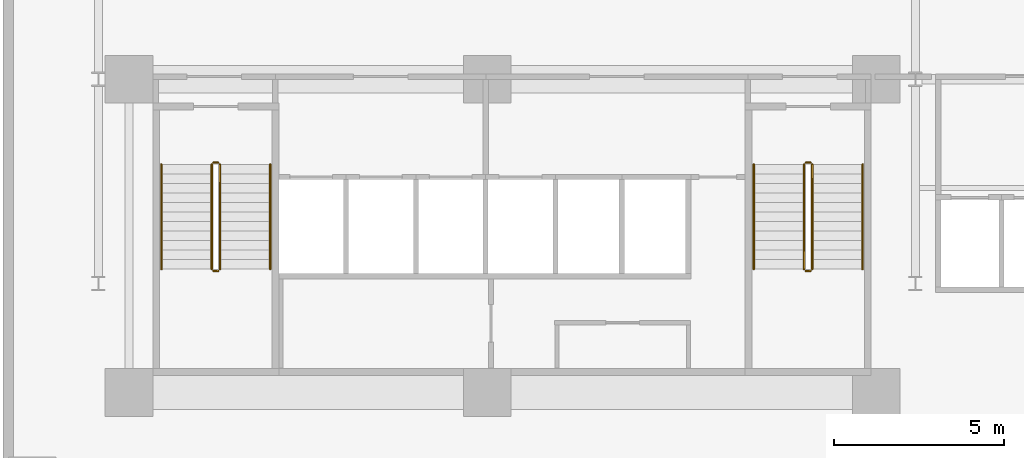
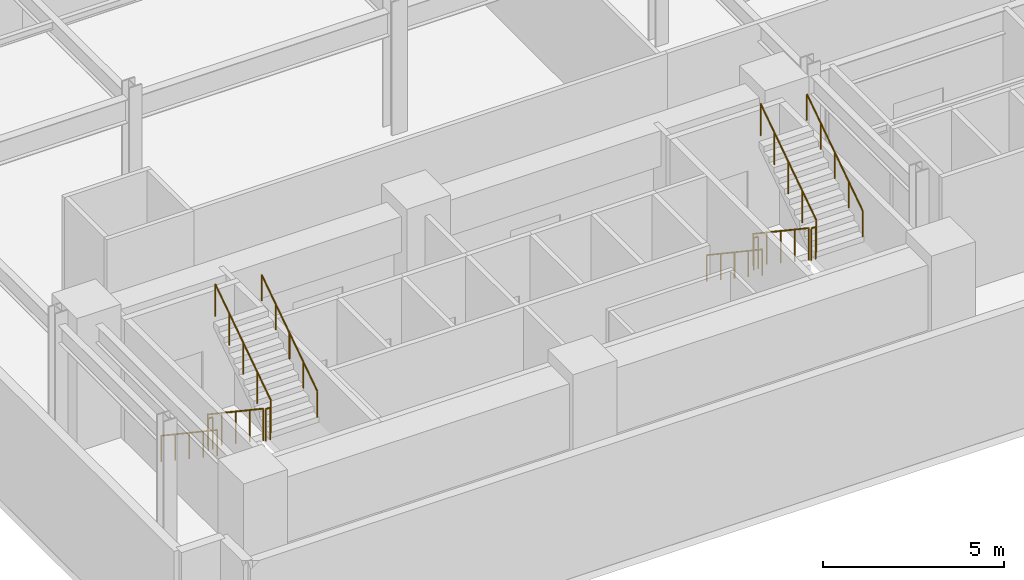
# One storey, part 20 of 23: 12 railings.
"""IFC4 building model written with IfcOpenShell, lengths in metres."""

import ifcopenshell
import ifcopenshell.guid

model = None  # the IFC model being written
_history = None  # IfcOwnerHistory: only IFC2X3 demands one
_inside = {}  # id of a spatial element -> (the spatial element, [elements in it])
_under = {}  # id of a project, library or spatial element -> (it, [spatial elements below it])
_declared = {}  # id of a project -> (the project, [libraries it declares])
_typed = {}  # id of a type object -> (the type object, [elements of that type])
_made_of = {}  # id of a material, layer set ... -> (it, [elements and type objects made of it])


def new_model(schema):
    """Start an empty IFC model of exactly this schema.

    Asked for "IFC4X3", IfcOpenShell would pick the latest addendum, in which some entities
    have other attributes; the version numbers below select the first issue.
    IFC2X3 requires an IfcOwnerHistory on every rooted entity: one is made here for all.
    """
    global model, _history
    if schema == "IFC4X3":
        model = ifcopenshell.file(schema_version=(4, 3, 0, 0))
    else:
        model = ifcopenshell.file(schema=schema)
    _inside.clear()
    _under.clear()
    _declared.clear()
    _typed.clear()
    _made_of.clear()
    _history = None
    if model.schema == "IFC2X3":
        org = make("IfcOrganization", Name="unknown")
        user = make(
            "IfcPersonAndOrganization",
            ThePerson=make("IfcPerson", FamilyName="unknown"),
            TheOrganization=org,
        )
        app = make(
            "IfcApplication",
            ApplicationDeveloper=org,
            Version="unknown",
            ApplicationFullName="unknown",
            ApplicationIdentifier="unknown",
        )
        _history = make(
            "IfcOwnerHistory",
            OwningUser=user,
            OwningApplication=app,
            ChangeAction="ADDED",
            CreationDate=0,
        )
    return model


def make(cls, **values):
    """One entity of the class cls with the attributes given. An attribute that is None is left unset."""
    return model.create_entity(
        cls, **{name: value for name, value in values.items() if value is not None}
    )


def rooted(cls, **values):
    """An entity with a GlobalId (a new one), such as an element, a storey or a relation."""
    return make(cls, GlobalId=ifcopenshell.guid.new(), OwnerHistory=_history, **values)


def si_unit(unit_type, name, prefix=None):
    """IfcSIUnit, for example si_unit("LENGTHUNIT", "METRE", prefix="MILLI")."""
    return make("IfcSIUnit", UnitType=unit_type, Prefix=prefix, Name=name)


def assignment(units):
    """IfcUnitAssignment: the units of a project."""
    return None if units is None else make("IfcUnitAssignment", Units=units)


def point(xyz):
    """IfcCartesianPoint."""
    return None if xyz is None else make("IfcCartesianPoint", Coordinates=xyz)


def direction(xyz):
    """IfcDirection."""
    return None if xyz is None else make("IfcDirection", DirectionRatios=xyz)


def frame(location, z_axis=None, x_axis=None):
    """IfcAxis2Placement3D, a coordinate frame: its origin and axes. An axis left out is left unset."""
    return make(
        "IfcAxis2Placement3D",
        Location=point(location),
        Axis=direction(z_axis),
        RefDirection=direction(x_axis),
    )


def frame_2d(location, x_axis=None):
    """IfcAxis2Placement2D, a coordinate frame in the plane: its origin and x axis."""
    return make(
        "IfcAxis2Placement2D", Location=point(location), RefDirection=direction(x_axis)
    )


def origin():
    """The frame at (0, 0, 0) with its axes left unset."""
    return frame((0.0, 0.0, 0.0))


def origin_2d():
    """The frame at (0, 0) in the plane with its x axis left unset."""
    return frame_2d((0.0, 0.0))


def place(relative_to, where):
    """IfcLocalPlacement: puts the frame where relative to a parent placement (None: the world)."""
    return make(
        "IfcLocalPlacement", PlacementRelTo=relative_to, RelativePlacement=where
    )


def context(
    kind, dimensions, precision=None, world=None, true_north=None, identifier=None
):
    """IfcGeometricRepresentationContext, for example the 3D "Model" context."""
    return make(
        "IfcGeometricRepresentationContext",
        ContextIdentifier=identifier,
        ContextType=kind,
        CoordinateSpaceDimension=dimensions,
        Precision=precision,
        WorldCoordinateSystem=world,
        TrueNorth=true_north,
    )


def subcontext(parent, identifier, kind, view, scale=None):
    """IfcGeometricRepresentationSubContext, for example "Body" below "Model"."""
    return make(
        "IfcGeometricRepresentationSubContext",
        ContextIdentifier=identifier,
        ContextType=kind,
        ParentContext=parent,
        TargetScale=scale,
        TargetView=view,
    )


def project(units=None, contexts=None):
    """IfcProject with its units and contexts."""
    return rooted(
        "IfcProject",
        Name="project",
        RepresentationContexts=contexts,
        UnitsInContext=assignment(units),
    )


def spatial(cls, under=None, at=None, **own):
    """A site, building, storey or space (cls), placed at a placement, below another one or the project."""
    s = rooted(cls, ObjectPlacement=at, **own)
    if under is not None:
        _under.setdefault(under.id(), (under, []))[1].append(s)
    return s


def profile(cls, at=None, kind="AREA", **sizes):
    """A parametric profile (cls). Its sizes go by their IFC names, for example OverallWidth=200.0."""
    return make(cls, ProfileType=kind, Position=at, **sizes)


def circle(**sizes):
    """IfcCircleProfileDef."""
    return profile("IfcCircleProfileDef", **sizes)


def extrude(swept, where, along, depth):
    """IfcExtrudedAreaSolid: the profile swept, set in the frame where, extruded along a direction by depth."""
    return make(
        "IfcExtrudedAreaSolid",
        SweptArea=swept,
        Position=where,
        ExtrudedDirection=direction(along),
        Depth=depth,
    )


def shape(context_of_items, identifier, shape_type, items):
    """IfcShapeRepresentation: the items that make up one representation, for example the "Body"."""
    return make(
        "IfcShapeRepresentation",
        ContextOfItems=context_of_items,
        RepresentationIdentifier=identifier,
        RepresentationType=shape_type,
        Items=items,
    )


def material(Name=None, Category=None):
    """IfcMaterial."""
    return make("IfcMaterial", Name=Name, Category=Category)


def made_of(thing, what):
    """Note that an element or type object is made of a material, layer set ...; save() writes the relation."""
    if what is not None:
        _made_of.setdefault(what.id(), (what, []))[1].append(thing)
    return thing


def type_object(cls, material=None, **own):
    """A type object (cls), such as IfcWallType, which elements share."""
    return made_of(rooted(cls, **own), material)


def element(
    cls,
    number,
    at=None,
    inside=None,
    cuts=None,
    type_object=None,
    material=None,
    context=None,
    identifier="Body",
    shape_type=None,
    held_by="IfcProductDefinitionShape",
    body=None,
    shapes=None,
    **own,
):
    """One element of the class cls, such as IfcWall. Its Tag is "e" and its number.

    at: its placement. inside: the storey or other place that contains it. cuts: it is an
    opening in that element (IfcRelVoidsElement). A single representation is given by context,
    identifier, shape_type and body (its items); several are given by shapes. held_by: the class
    of the entity that holds the representations. save() writes the other relations.
    """
    e = rooted(cls, Tag="e%d" % number, ObjectPlacement=at, **own)
    if body is not None:
        shapes = [shape(context, identifier, shape_type, body)]
    if shapes is not None:
        e.Representation = make(held_by, Representations=shapes)
    if inside is not None:
        _inside.setdefault(inside.id(), (inside, []))[1].append(e)
    if cuts is not None:
        rooted(
            "IfcRelVoidsElement", RelatingBuildingElement=cuts, RelatedOpeningElement=e
        )
    if type_object is not None:
        _typed.setdefault(type_object.id(), (type_object, []))[1].append(e)
    return made_of(e, material)


def aggregate(whole, parts):
    """IfcRelAggregates: a whole, such as a stair, and the parts it consists of."""
    return rooted("IfcRelAggregates", RelatingObject=whole, RelatedObjects=parts)


def save(model, path):
    """Write the relations noted so far, then the file.

    IfcRelAggregates (storeys below a building ...), IfcRelContainedInSpatialStructure (elements
    in a storey), IfcRelDefinesByType, IfcRelAssociatesMaterial and IfcRelDeclares: one each for
    every whole, place, type object, material and project.
    """
    for whole, parts in _under.values():
        aggregate(whole, parts)
    for where, things in _inside.values():
        rooted(
            "IfcRelContainedInSpatialStructure",
            RelatedElements=things,
            RelatingStructure=where,
        )
    for kind, things in _typed.values():
        rooted("IfcRelDefinesByType", RelatedObjects=things, RelatingType=kind)
    for what, things in _made_of.values():
        rooted("IfcRelAssociatesMaterial", RelatedObjects=things, RelatingMaterial=what)
    for by, libraries in _declared.values():
        rooted("IfcRelDeclares", RelatingContext=by, RelatedDefinitions=libraries)
    model.write(path)


model = new_model("IFC4")

# Units and contexts
model_context = context("Model", 3, precision=1e-05, world=origin(), true_north=direction((0.0, 1.0)))
body_context = subcontext(model_context, "Body", "Model", "MODEL_VIEW")
ifc_project = project(units=[si_unit("LENGTHUNIT", "METRE"), si_unit("AREAUNIT", "SQUARE_METRE"), si_unit("VOLUMEUNIT", "CUBIC_METRE"), si_unit("PLANEANGLEUNIT", "RADIAN"), si_unit("MASSUNIT", "GRAM", prefix="KILO")], contexts=[model_context])

# Site, building, storey
site_placement = place(None, origin())
site = spatial("IfcSite", under=ifc_project, at=site_placement, CompositionType="ELEMENT")
building_placement = place(site_placement, origin())
building = spatial("IfcBuilding", under=site, at=building_placement, Name="Varnakote Quay Hospital", CompositionType="ELEMENT")
storey_placement = place(building_placement, frame((0.0, 0.0, 18.0)))
storey = spatial("IfcBuildingStorey", under=building, at=storey_placement, Name="L04", CompositionType="ELEMENT", Elevation=18.0)

# Railings
ifc_material_1 = material(Name="Brushed stainless steel balustrade", Category="steel")
railing_type_1 = type_object("IfcRailingType", Name="RLG-STAIR-GUARD-1150", PredefinedType="GUARDRAIL", material=ifc_material_1)
railing_1_placement = place(storey_placement, frame((4.530029296875, 9.5, 0.1875)))
element("IfcRailing", 1, at=railing_1_placement, inside=storey, type_object=railing_type_1, Name="L04 ST-01 stair guard 1", PredefinedType="GUARDRAIL", context=body_context, shape_type="SweptSolid", body=[
    extrude(circle(Radius=0.02392578125, at=origin_2d()), frame((0.0, 0.0, 1.076171875), z_axis=(0.0, -0.830913701846, 0.55640131208), x_axis=(1.0, 0.0, 0.0)), (0.0, 0.0, 1.0), 3.706787109375),
    extrude(circle(Radius=0.02099609375, at=origin_2d()), origin(), (0.0, 0.0, 1.0), 1.052001953125),
    extrude(circle(Radius=0.02099609375, at=origin_2d()), frame((0.0, -0.77001953125, 0.515625)), (0.0, 0.0, 1.0), 1.052001953125),
    extrude(circle(Radius=0.02099609375, at=origin_2d()), frame((0.0, -1.5400390625, 1.03125)), (0.0, 0.0, 1.0), 1.052001953125),
    extrude(circle(Radius=0.02099609375, at=origin_2d()), frame((0.0, -2.31005859375, 1.546875)), (0.0, 0.0, 1.0), 1.052001953125),
    extrude(circle(Radius=0.02099609375, at=origin_2d()), frame((0.0, -3.080078125, 2.0625)), (0.0, 0.0, 1.0), 1.052001953125),
])
railing_2_placement = place(storey_placement, frame((4.580078125, 6.3701171875, 2.25)))
element("IfcRailing", 2, at=railing_2_placement, inside=storey, type_object=railing_type_1, Name="L04 ST-01 stair guard 2", PredefinedType="GUARDRAIL", context=body_context, shape_type="SweptSolid", body=[
    extrude(circle(Radius=0.02392578125, at=origin_2d()), frame((0.0, 0.0, 1.076171875), z_axis=(1.0, 0.0, 0.0), x_axis=(0.0, 1.0, 0.0)), (0.0, 0.0, 1.0), 0.139892578125),
    extrude(circle(Radius=0.02099609375, at=origin_2d()), origin(), (0.0, 0.0, 1.0), 1.052001953125),
    extrude(circle(Radius=0.02099609375, at=origin_2d()), frame((0.139892578125, 0.0, 0.0)), (0.0, 0.0, 1.0), 1.052001953125),
])
railing_3_placement = place(storey_placement, frame((4.77001953125, 6.419921875, 2.4375)))
element("IfcRailing", 3, at=railing_3_placement, inside=storey, type_object=railing_type_1, Name="L04 ST-01 stair guard 3", PredefinedType="GUARDRAIL", context=body_context, shape_type="SweptSolid", body=[
    extrude(circle(Radius=0.02392578125, at=origin_2d()), frame((0.0, 0.0, 1.076171875), z_axis=(0.0, 0.830913701846, 0.55640131208), x_axis=(-1.0, 0.0, 0.0)), (0.0, 0.0, 1.0), 3.706787109375),
    extrude(circle(Radius=0.02099609375, at=origin_2d()), origin(), (0.0, 0.0, 1.0), 1.052001953125),
    extrude(circle(Radius=0.02099609375, at=origin_2d()), frame((0.0, 0.77001953125, 0.515625)), (0.0, 0.0, 1.0), 1.052001953125),
    extrude(circle(Radius=0.02099609375, at=origin_2d()), frame((0.0, 1.5400390625, 1.03125)), (0.0, 0.0, 1.0), 1.052001953125),
    extrude(circle(Radius=0.02099609375, at=origin_2d()), frame((0.0, 2.31005859375, 1.546875)), (0.0, 0.0, 1.0), 1.052001953125),
    extrude(circle(Radius=0.02099609375, at=origin_2d()), frame((0.0, 3.080078125, 2.0625)), (0.0, 0.0, 1.0), 1.052001953125),
])
railing_4_placement = place(storey_placement, frame((4.580078125, 9.550048828125, 0.0)))
element("IfcRailing", 4, at=railing_4_placement, inside=storey, type_object=railing_type_1, Name="L04 ST-01 stair guard 4", PredefinedType="GUARDRAIL", context=body_context, shape_type="SweptSolid", body=[
    extrude(circle(Radius=0.02392578125, at=origin_2d()), frame((0.0, 0.0, 1.076171875), z_axis=(1.0, 0.0, 0.0), x_axis=(0.0, 1.0, 0.0)), (0.0, 0.0, 1.0), 0.139892578125),
    extrude(circle(Radius=0.02099609375, at=origin_2d()), origin(), (0.0, 0.0, 1.0), 1.052001953125),
    extrude(circle(Radius=0.02099609375, at=origin_2d()), frame((0.139892578125, 0.0, 0.0)), (0.0, 0.0, 1.0), 1.052001953125),
])
railing_5_placement = place(storey_placement, frame((21.929931640625, 9.5, 0.1875)))
element("IfcRailing", 5, at=railing_5_placement, inside=storey, type_object=railing_type_1, Name="L04 ST-02 stair guard 1", PredefinedType="GUARDRAIL", context=body_context, shape_type="SweptSolid", body=[
    extrude(circle(Radius=0.02392578125, at=origin_2d()), frame((0.0, 0.0, 1.076171875), z_axis=(0.0, -0.830913701846, 0.55640131208), x_axis=(1.0, 0.0, 0.0)), (0.0, 0.0, 1.0), 3.706787109375),
    extrude(circle(Radius=0.02099609375, at=origin_2d()), origin(), (0.0, 0.0, 1.0), 1.052001953125),
    extrude(circle(Radius=0.02099609375, at=origin_2d()), frame((0.0, -0.77001953125, 0.515625)), (0.0, 0.0, 1.0), 1.052001953125),
    extrude(circle(Radius=0.02099609375, at=origin_2d()), frame((0.0, -1.5400390625, 1.03125)), (0.0, 0.0, 1.0), 1.052001953125),
    extrude(circle(Radius=0.02099609375, at=origin_2d()), frame((0.0, -2.31005859375, 1.546875)), (0.0, 0.0, 1.0), 1.052001953125),
    extrude(circle(Radius=0.02099609375, at=origin_2d()), frame((0.0, -3.080078125, 2.0625)), (0.0, 0.0, 1.0), 1.052001953125),
])
railing_6_placement = place(storey_placement, frame((21.97998046875, 6.3701171875, 2.25)))
element("IfcRailing", 6, at=railing_6_placement, inside=storey, type_object=railing_type_1, Name="L04 ST-02 stair guard 2", PredefinedType="GUARDRAIL", context=body_context, shape_type="SweptSolid", body=[
    extrude(circle(Radius=0.02392578125, at=origin_2d()), frame((0.0, 0.0, 1.076171875), z_axis=(1.0, 0.0, 0.0), x_axis=(0.0, 1.0, 0.0)), (0.0, 0.0, 1.0), 0.14013671875),
    extrude(circle(Radius=0.02099609375, at=origin_2d()), origin(), (0.0, 0.0, 1.0), 1.052001953125),
    extrude(circle(Radius=0.02099609375, at=origin_2d()), frame((0.14013671875, 0.0, 0.0)), (0.0, 0.0, 1.0), 1.052001953125),
])
railing_7_placement = place(storey_placement, frame((22.169921875, 6.419921875, 2.4375)))
element("IfcRailing", 7, at=railing_7_placement, inside=storey, type_object=railing_type_1, Name="L04 ST-02 stair guard 3", PredefinedType="GUARDRAIL", context=body_context, shape_type="SweptSolid", body=[
    extrude(circle(Radius=0.02392578125, at=origin_2d()), frame((0.0, 0.0, 1.076171875), z_axis=(0.0, 0.830913701846, 0.55640131208), x_axis=(-1.0, 0.0, 0.0)), (0.0, 0.0, 1.0), 3.706787109375),
    extrude(circle(Radius=0.02099609375, at=origin_2d()), origin(), (0.0, 0.0, 1.0), 1.052001953125),
    extrude(circle(Radius=0.02099609375, at=origin_2d()), frame((0.0, 0.77001953125, 0.515625)), (0.0, 0.0, 1.0), 1.052001953125),
    extrude(circle(Radius=0.02099609375, at=origin_2d()), frame((0.0, 1.5400390625, 1.03125)), (0.0, 0.0, 1.0), 1.052001953125),
    extrude(circle(Radius=0.02099609375, at=origin_2d()), frame((0.0, 2.31005859375, 1.546875)), (0.0, 0.0, 1.0), 1.052001953125),
    extrude(circle(Radius=0.02099609375, at=origin_2d()), frame((0.0, 3.080078125, 2.0625)), (0.0, 0.0, 1.0), 1.052001953125),
])
railing_8_placement = place(storey_placement, frame((21.97998046875, 9.550048828125, 0.0)))
element("IfcRailing", 8, at=railing_8_placement, inside=storey, type_object=railing_type_1, Name="L04 ST-02 stair guard 4", PredefinedType="GUARDRAIL", context=body_context, shape_type="SweptSolid", body=[
    extrude(circle(Radius=0.02392578125, at=origin_2d()), frame((0.0, 0.0, 1.076171875), z_axis=(1.0, 0.0, 0.0), x_axis=(0.0, 1.0, 0.0)), (0.0, 0.0, 1.0), 0.14013671875),
    extrude(circle(Radius=0.02099609375, at=origin_2d()), origin(), (0.0, 0.0, 1.0), 1.052001953125),
    extrude(circle(Radius=0.02099609375, at=origin_2d()), frame((0.14013671875, 0.0, 0.0)), (0.0, 0.0, 1.0), 1.052001953125),
])
ifc_material_2 = material(Name="Brushed stainless steel handrail", Category="steel")
railing_type_2 = type_object("IfcRailingType", Name="RLG-STAIR-HND-920", PredefinedType="HANDRAIL", material=ifc_material_2)
railing_9_placement = place(storey_placement, frame((3.050048828125, 9.5, 0.1875)))
element("IfcRailing", 9, at=railing_9_placement, inside=storey, type_object=railing_type_2, Name="L04 ST-01 stair handrail 1", PredefinedType="HANDRAIL", context=body_context, shape_type="SweptSolid", body=[
    extrude(circle(Radius=0.02392578125, at=origin_2d()), frame((0.0, 0.0, 0.8759765625), z_axis=(0.0, -0.830913701846, 0.55640131208), x_axis=(1.0, 0.0, 0.0)), (0.0, 0.0, 1.0), 3.706787109375),
    extrude(circle(Radius=0.02099609375, at=origin_2d()), origin(), (0.0, 0.0, 1.0), 0.851806640625),
    extrude(circle(Radius=0.02099609375, at=origin_2d()), frame((0.0, -0.77001953125, 0.515625)), (0.0, 0.0, 1.0), 0.851806640625),
    extrude(circle(Radius=0.02099609375, at=origin_2d()), frame((0.0, -1.5400390625, 1.03125)), (0.0, 0.0, 1.0), 0.851806640625),
    extrude(circle(Radius=0.02099609375, at=origin_2d()), frame((0.0, -2.31005859375, 1.546875)), (0.0, 0.0, 1.0), 0.851806640625),
    extrude(circle(Radius=0.02099609375, at=origin_2d()), frame((0.0, -3.080078125, 2.0625)), (0.0, 0.0, 1.0), 0.851806640625),
])
railing_10_placement = place(storey_placement, frame((6.25, 6.419921875, 2.4375)))
element("IfcRailing", 10, at=railing_10_placement, inside=storey, type_object=railing_type_2, Name="L04 ST-01 stair handrail 2", PredefinedType="HANDRAIL", context=body_context, shape_type="SweptSolid", body=[
    extrude(circle(Radius=0.02392578125, at=origin_2d()), frame((0.0, 0.0, 0.8759765625), z_axis=(0.0, 0.830913701846, 0.55640131208), x_axis=(-1.0, 0.0, 0.0)), (0.0, 0.0, 1.0), 3.706787109375),
    extrude(circle(Radius=0.02099609375, at=origin_2d()), origin(), (0.0, 0.0, 1.0), 0.851806640625),
    extrude(circle(Radius=0.02099609375, at=origin_2d()), frame((0.0, 0.77001953125, 0.515625)), (0.0, 0.0, 1.0), 0.851806640625),
    extrude(circle(Radius=0.02099609375, at=origin_2d()), frame((0.0, 1.5400390625, 1.03125)), (0.0, 0.0, 1.0), 0.851806640625),
    extrude(circle(Radius=0.02099609375, at=origin_2d()), frame((0.0, 2.31005859375, 1.546875)), (0.0, 0.0, 1.0), 0.851806640625),
    extrude(circle(Radius=0.02099609375, at=origin_2d()), frame((0.0, 3.080078125, 2.0625)), (0.0, 0.0, 1.0), 0.851806640625),
])
railing_11_placement = place(storey_placement, frame((20.449951171875, 9.5, 0.1875)))
element("IfcRailing", 11, at=railing_11_placement, inside=storey, type_object=railing_type_2, Name="L04 ST-02 stair handrail 1", PredefinedType="HANDRAIL", context=body_context, shape_type="SweptSolid", body=[
    extrude(circle(Radius=0.02392578125, at=origin_2d()), frame((0.0, 0.0, 0.8759765625), z_axis=(0.0, -0.830913701846, 0.55640131208), x_axis=(1.0, 0.0, 0.0)), (0.0, 0.0, 1.0), 3.706787109375),
    extrude(circle(Radius=0.02099609375, at=origin_2d()), origin(), (0.0, 0.0, 1.0), 0.851806640625),
    extrude(circle(Radius=0.02099609375, at=origin_2d()), frame((0.0, -0.77001953125, 0.515625)), (0.0, 0.0, 1.0), 0.851806640625),
    extrude(circle(Radius=0.02099609375, at=origin_2d()), frame((0.0, -1.5400390625, 1.03125)), (0.0, 0.0, 1.0), 0.851806640625),
    extrude(circle(Radius=0.02099609375, at=origin_2d()), frame((0.0, -2.31005859375, 1.546875)), (0.0, 0.0, 1.0), 0.851806640625),
    extrude(circle(Radius=0.02099609375, at=origin_2d()), frame((0.0, -3.080078125, 2.0625)), (0.0, 0.0, 1.0), 0.851806640625),
])
railing_12_placement = place(storey_placement, frame((23.64990234375, 6.419921875, 2.4375)))
element("IfcRailing", 12, at=railing_12_placement, inside=storey, type_object=railing_type_2, Name="L04 ST-02 stair handrail 2", PredefinedType="HANDRAIL", context=body_context, shape_type="SweptSolid", body=[
    extrude(circle(Radius=0.02392578125, at=origin_2d()), frame((0.0, 0.0, 0.8759765625), z_axis=(0.0, 0.830913701846, 0.55640131208), x_axis=(-1.0, 0.0, 0.0)), (0.0, 0.0, 1.0), 3.706787109375),
    extrude(circle(Radius=0.02099609375, at=origin_2d()), origin(), (0.0, 0.0, 1.0), 0.851806640625),
    extrude(circle(Radius=0.02099609375, at=origin_2d()), frame((0.0, 0.77001953125, 0.515625)), (0.0, 0.0, 1.0), 0.851806640625),
    extrude(circle(Radius=0.02099609375, at=origin_2d()), frame((0.0, 1.5400390625, 1.03125)), (0.0, 0.0, 1.0), 0.851806640625),
    extrude(circle(Radius=0.02099609375, at=origin_2d()), frame((0.0, 2.31005859375, 1.546875)), (0.0, 0.0, 1.0), 0.851806640625),
    extrude(circle(Radius=0.02099609375, at=origin_2d()), frame((0.0, 3.080078125, 2.0625)), (0.0, 0.0, 1.0), 0.851806640625),
])

save(model, "model.ifc")
